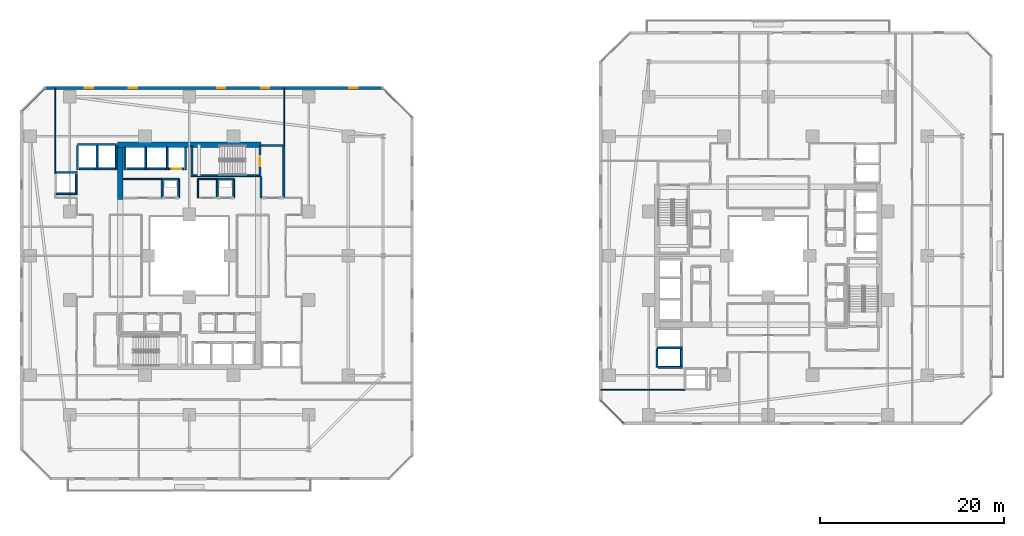
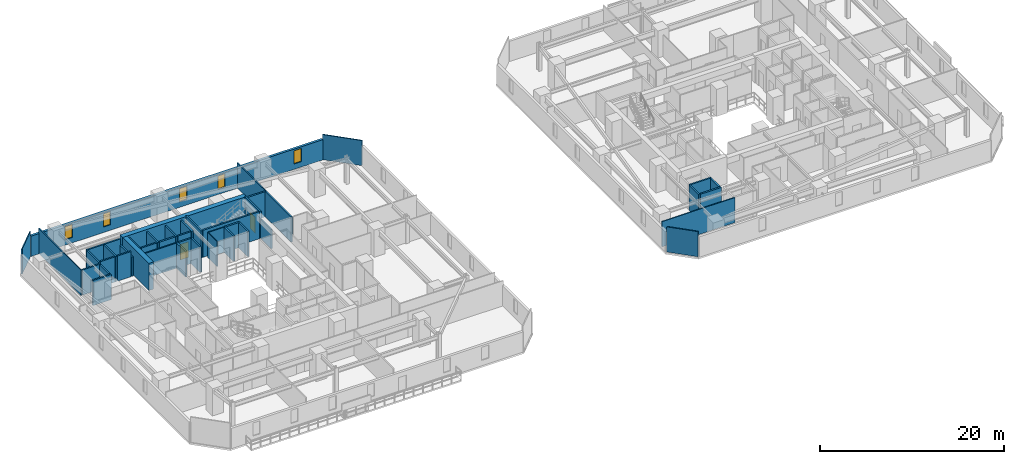
# One storey, part 23 of 34: 44 walls, 5 windows, 2 doors, 7 openings.
"""IFC4 building model written with IfcOpenShell, lengths in metres."""

from ifc_helpers import new_model, si_unit, direction, frame, frame_2d, origin, place, context, subcontext, project, spatial, rectangle, extrude, material, layer, layer_set, type_object, element, fill, save


model = new_model("IFC4")

# Units and contexts
model_context = context("Model", 3, precision=1e-05, world=origin(), true_north=direction((0.0, 1.0)))
body_context = subcontext(model_context, "Body", "Model", "MODEL_VIEW")
ifc_project = project(units=[si_unit("LENGTHUNIT", "METRE"), si_unit("AREAUNIT", "SQUARE_METRE"), si_unit("VOLUMEUNIT", "CUBIC_METRE"), si_unit("PLANEANGLEUNIT", "RADIAN"), si_unit("MASSUNIT", "GRAM", prefix="KILO")], contexts=[model_context])

# Site, building, storey
site_placement = place(None, origin())
site = spatial("IfcSite", under=ifc_project, at=site_placement, CompositionType="ELEMENT")
building_placement = place(site_placement, origin())
building = spatial("IfcBuilding", under=site, at=building_placement, Name="Thornwick Lancets Civic Towers", CompositionType="ELEMENT")
storey_placement = place(building_placement, frame((0.0, 0.0, 60.89990234375)))
storey = spatial("IfcBuildingStorey", under=building, at=storey_placement, Name="L15", CompositionType="ELEMENT", Elevation=60.89990234375)

# Wall, opening, door
ifc_material_1 = material(Name="Concrete blockwork C40/50", Category="masonry")
ifc_layer_1 = layer(ifc_material_1, 0.199951171875, Name="Concrete blockwork C40/50")
ifc_layer_set_1 = layer_set([ifc_layer_1], Name="Concrete blockwork C40/50")
wall_type_1 = type_object("IfcWallType", Name="WALL_COMP_200", PredefinedType="STANDARD", material=ifc_layer_set_1)
wall_1_placement = place(storey_placement, frame((24.919921875, 36.449951171875, 0.0), z_axis=(0.0, 0.0, 1.0), x_axis=(-1.0, 0.0, 0.0)))
wall_1 = element("IfcWall", 1, at=wall_1_placement, inside=storey, type_object=wall_type_1, Name="L15 Hoistway Front Wall FL-A2", PredefinedType="STANDARD", context=body_context, shape_type="SweptSolid", body=[
    extrude(rectangle(XDim=1.639892578125, YDim=0.199951171875, at=frame_2d((0.81982421875, 0.0))), origin(), (0.0, 0.0, 1.0), 3.340087890625),
])
opening_1_placement = place(wall_1_placement, frame((0.31005859375, 0.0, 0.0)))
opening_1 = element("IfcOpeningElement", 2, at=opening_1_placement, cuts=wall_1, Name="Opening LD-FL-A2", PredefinedType="OPENING", context=body_context, shape_type="SweptSolid", body=[
    extrude(rectangle(XDim=1.02001953125, YDim=2.06005859375, at=frame_2d((0.510009765625, 1.030029296875))), frame((0.0, 0.10986328125, 0.0), z_axis=(0.0, -1.0, 0.0), x_axis=(1.0, 0.0, 0.0)), (0.0, 0.0, 1.0), 0.219970703125),
])
ifc_material_2 = material(Name="Brushed bronze stainless steel", Category="steel")
door_type_1 = type_object("IfcDoorType", Name="DOOR_LIFT_SLIDE", OperationType="SLIDING_TO_LEFT", PredefinedType="DOOR", material=ifc_material_2)
door_1_placement = place(opening_1_placement, origin())
door_1 = element("IfcDoor", 3, at=door_1_placement, inside=storey, type_object=door_type_1, Name="L15 Sliding Lift Landing Door LD-FL-A2", OperationType="SLIDING_TO_LEFT", OverallHeight=2.06005859375, OverallWidth=1.02001953125, PredefinedType="DOOR", context=body_context, shape_type="SweptSolid", body=[
    extrude(rectangle(XDim=1.02001953125, YDim=2.06005859375, at=frame_2d((0.510009765625, 1.030029296875))), frame((0.0, 0.02490234375, 0.0), z_axis=(0.0, -1.0, 0.0), x_axis=(1.0, 0.0, 0.0)), (0.0, 0.0, 1.0), 0.050048828125),
])
fill(opening_1, door_1)

# Walls
wall_2_placement = place(storey_placement, frame((22.919921875, 36.449951171875, 0.0), z_axis=(0.0, 0.0, 1.0), x_axis=(-1.0, 0.0, 0.0)))
element("IfcWall", 4, at=wall_2_placement, inside=storey, type_object=wall_type_1, Name="L15 Hoistway Front Wall PL-AH2", PredefinedType="STANDARD", context=body_context, shape_type="SweptSolid", body=[
    extrude(rectangle(XDim=1.989990234375, YDim=0.199951171875, at=frame_2d((0.9951171875, 0.0))), origin(), (0.0, 0.0, 1.0), 3.340087890625),
])
wall_3_placement = place(storey_placement, frame((20.6201171875, 36.449951171875, 0.0), z_axis=(0.0, 0.0, 1.0), x_axis=(-1.0, 0.0, 0.0)))
element("IfcWall", 5, at=wall_3_placement, inside=storey, type_object=wall_type_1, Name="L15 Hoistway Front Wall PL-AH3", PredefinedType="STANDARD", context=body_context, shape_type="SweptSolid", body=[
    extrude(rectangle(XDim=1.940185546875, YDim=0.199951171875, at=frame_2d((0.97021484375, 0.0))), origin(), (0.0, 0.0, 1.0), 3.340087890625),
])
wall_4_placement = place(storey_placement, frame((17.3701171875, 36.449951171875, 0.0), z_axis=(0.0, 0.0, 1.0), x_axis=(-1.0, 0.0, 0.0)))
element("IfcWall", 6, at=wall_4_placement, inside=storey, type_object=wall_type_1, Name="L15 Hoistway Front Wall PL-AM1", PredefinedType="STANDARD", context=body_context, shape_type="SweptSolid", body=[
    extrude(rectangle(XDim=1.740234375, YDim=0.199951171875, at=frame_2d((0.8701171875, 0.0))), origin(), (0.0, 0.0, 1.0), 3.340087890625),
])
for number, where, z_axis, x_axis, name in (
    (7, (15.320068359375, 36.449951171875, 0.0), (0.0, 0.0, 1.0), (-1.0, 0.0, 0.0), "L15 Hoistway Front Wall PL-AM2"),
    (8, (79.050048828125, 15.030029296875, 0.0), (0.0, 0.0, 1.0), (0.0, 1.0, 0.0), "L15 Hoistway Front Wall PL-BM2"),
):
    element("IfcWall", number, at=place(storey_placement, frame(where, z_axis=z_axis, x_axis=x_axis)), inside=storey, type_object=wall_type_1, Name=name, PredefinedType="STANDARD", context=body_context, shape_type="SweptSolid", body=[
        extrude(rectangle(XDim=1.7900390625, YDim=0.199951171875, at=frame_2d((0.89501953125, 0.0))), origin(), (0.0, 0.0, 1.0), 3.340087890625),
    ])
wall_5_placement = place(storey_placement, frame((13.199951171875, 33.929931640625, 0.0), z_axis=(0.0, 0.0, 1.0), x_axis=(0.0, 1.0, 0.0)))
element("IfcWall", 9, at=wall_5_placement, inside=storey, type_object=wall_type_1, Name="L15 Hoistway Front Wall PL-AM3", PredefinedType="STANDARD", context=body_context, shape_type="SweptSolid", body=[
    extrude(rectangle(XDim=1.940185546875, YDim=0.199951171875, at=frame_2d((0.97021484375, 0.0))), origin(), (0.0, 0.0, 1.0), 3.340087890625),
])
for number, where, z_axis, x_axis, name in (
    (10, (25.10009765625, 36.35205078125, 0.0), (0.0, 0.0, 1.0), (0.0, 1.0, 0.0), "L15 Hoistway Shaft Wall FL-A2 E"),
    (11, (23.10009765625, 36.35205078125, 0.0), (0.0, 0.0, 1.0), (0.0, 1.0, 0.0), "L15 Hoistway Shaft Wall FL-A2 W"),
    (12, (20.77490234375, 36.35205078125, 0.0), (0.0, 0.0, 1.0), (0.0, 1.0, 0.0), "L15 Hoistway Shaft Wall PL-AH2 W"),
    (13, (18.5, 36.35205078125, 0.0), (0.0, 0.0, 1.0), (0.0, 1.0, 0.0), "L15 Hoistway Shaft Wall PL-AH3 W"),
):
    element("IfcWall", number, at=place(storey_placement, frame(where, z_axis=z_axis, x_axis=x_axis)), inside=storey, type_object=wall_type_1, Name=name, PredefinedType="STANDARD", context=body_context, shape_type="SweptSolid", body=[
        extrude(rectangle(XDim=2.43603515625, YDim=0.199951171875, at=frame_2d((1.218017578125, 0.0))), origin(), (0.0, 0.0, 1.0), 3.340087890625),
    ])
wall_6_placement = place(storey_placement, frame((13.35205078125, 39.10009765625, 0.0), z_axis=(0.0, 0.0, 1.0), x_axis=(1.0, 0.0, 0.0)))
element("IfcWall", 14, at=wall_6_placement, inside=storey, type_object=wall_type_1, Name="L15 Hoistway Shaft Wall PL-AM1 N", PredefinedType="STANDARD", context=body_context, shape_type="SweptSolid", body=[
    extrude(rectangle(XDim=4.196044921875, YDim=0.199951171875, at=frame_2d((2.09814453125, 0.0))), origin(), (0.0, 0.0, 1.0), 3.340087890625),
])
wall_7_placement = place(storey_placement, frame((17.550048828125, 36.35205078125, 0.0), z_axis=(0.0, 0.0, 1.0), x_axis=(0.0, 1.0, 0.0)))
element("IfcWall", 15, at=wall_7_placement, inside=storey, type_object=wall_type_1, Name="L15 Hoistway Shaft Wall PL-AM1 E", PredefinedType="STANDARD", context=body_context, shape_type="SweptSolid", body=[
    extrude(rectangle(XDim=2.635986328125, YDim=0.199951171875, at=frame_2d((1.31787109375, 0.0))), origin(), (0.0, 0.0, 1.0), 2.545166015625),
])
wall_8_placement = place(storey_placement, frame((15.47509765625, 36.35205078125, 0.0), z_axis=(0.0, 0.0, 1.0), x_axis=(0.0, 1.0, 0.0)))
element("IfcWall", 16, at=wall_8_placement, inside=storey, type_object=wall_type_1, Name="L15 Hoistway Shaft Wall PL-AM1 W", PredefinedType="STANDARD", context=body_context, shape_type="SweptSolid", body=[
    extrude(rectangle(XDim=2.635986328125, YDim=0.199951171875, at=frame_2d((1.31787109375, 0.0))), origin(), (0.0, 0.0, 1.0), 3.340087890625),
])
wall_9_placement = place(storey_placement, frame((76.402099609375, 16.97509765625, 0.0), z_axis=(0.0, 0.0, 1.0), x_axis=(1.0, 0.0, 0.0)))
element("IfcWall", 17, at=wall_9_placement, inside=storey, type_object=wall_type_1, Name="L15 Hoistway Shaft Wall PL-BM1 S", PredefinedType="STANDARD", context=body_context, shape_type="SweptSolid", body=[
    extrude(rectangle(XDim=2.745849609375, YDim=0.199951171875, at=frame_2d((1.373046875, 0.0))), origin(), (0.0, 0.0, 1.0), 3.340087890625),
])
wall_10_placement = place(storey_placement, frame((76.39990234375, 14.85205078125, 0.0), z_axis=(0.0, 0.0, 1.0), x_axis=(0.0, 1.0, 0.0)))
element("IfcWall", 18, at=wall_10_placement, inside=storey, type_object=wall_type_1, Name="L15 Hoistway Shaft Wall PL-BM1 W", PredefinedType="STANDARD", context=body_context, shape_type="SweptSolid", body=[
    extrude(rectangle(XDim=2.015869140625, YDim=0.199951171875, at=frame_2d((1.0078125, 0.0))), origin(), (0.0, 0.0, 1.0), 3.340087890625),
])
for number, where, z_axis, x_axis, name in (
    (19, (13.35009765625, 36.35205078125, 0.0), (0.0, 0.0, 1.0), (0.0, 1.0, 0.0), "L15 Hoistway Shaft Wall PL-AM2 W"),
    (20, (76.511962890625, 14.85009765625, 0.0), (0.0, 0.0, 1.0), (1.0, 0.0, 0.0), "L15 Hoistway Shaft Wall PL-BM2 S"),
):
    element("IfcWall", number, at=place(storey_placement, frame(where, z_axis=z_axis, x_axis=x_axis)), inside=storey, type_object=wall_type_1, Name=name, PredefinedType="STANDARD", context=body_context, shape_type="SweptSolid", body=[
        extrude(rectangle(XDim=2.635986328125, YDim=0.199951171875, at=frame_2d((1.31787109375, 0.0))), origin(), (0.0, 0.0, 1.0), 3.340087890625),
    ])
for number, where, z_axis, x_axis, name in (
    (21, (11.001953125, 36.050048828125, 0.0), (0.0, 0.0, 1.0), (1.0, 0.0, 0.0), "L15 Hoistway Shaft Wall PL-AM3 N"),
    (22, (11.001953125, 33.75, 0.0), (0.0, 0.0, 1.0), (1.0, 0.0, 0.0), "L15 Hoistway Shaft Wall PL-AM3 S"),
):
    element("IfcWall", number, at=place(storey_placement, frame(where, z_axis=z_axis, x_axis=x_axis)), inside=storey, type_object=wall_type_1, Name=name, PredefinedType="STANDARD", context=body_context, shape_type="SweptSolid", body=[
        extrude(rectangle(XDim=2.296142578125, YDim=0.199951171875, at=frame_2d((1.14794921875, 0.0))), origin(), (0.0, 0.0, 1.0), 3.340087890625),
    ])
wall_11_placement = place(storey_placement, frame((35.800048828125, 33.300048828125, 0.0), z_axis=(0.0, 0.0, 1.0), x_axis=(0.0, 1.0, 0.0)))
element("IfcWall", 23, at=wall_11_placement, inside=storey, type_object=wall_type_1, Name="L15 Partition L15-A-FFLOB2 E2", PredefinedType="STANDARD", context=body_context, shape_type="SweptSolid", body=[
    extrude(rectangle(XDim=5.699951171875, YDim=0.199951171875, at=frame_2d((2.85009765625, 0.0))), origin(), (0.0, 0.0, 1.0), 3.340087890625),
])
wall_12_placement = place(storey_placement, frame((35.800048828125, 39.0, 0.0), z_axis=(0.0, 0.0, 1.0), x_axis=(-1.0, 0.0, 0.0)))
element("IfcWall", 24, at=wall_12_placement, inside=storey, type_object=wall_type_1, Name="L15 Partition L15-A-FFLOB2 E3", PredefinedType="STANDARD", context=body_context, shape_type="SweptSolid", body=[
    extrude(rectangle(XDim=2.5, YDim=0.199951171875, at=frame_2d((1.25, 0.0))), origin(), (0.0, 0.0, 1.0), 3.340087890625),
])
wall_13_placement = place(storey_placement, frame((33.300048828125, 35.60009765625, 0.0), z_axis=(0.0, 0.0, 1.0), x_axis=(0.0, -1.0, 0.0)))
element("IfcWall", 25, at=wall_13_placement, inside=storey, type_object=wall_type_1, Name="L15 Partition L15-A-FFLOB2 E4", PredefinedType="STANDARD", context=body_context, shape_type="SweptSolid", body=[
    extrude(rectangle(XDim=2.300048828125, YDim=0.199951171875, at=frame_2d((1.14990234375, 0.0))), origin(), (0.0, 0.0, 1.0), 2.545166015625),
])
wall_14_placement = place(storey_placement, frame((24.35009765625, 33.300048828125, 0.0), z_axis=(0.0, 0.0, 1.0), x_axis=(0.0, 1.0, 0.0)))
element("IfcWall", 26, at=wall_14_placement, inside=storey, type_object=wall_type_1, Name="L15 Partition L15-A-DUCT2 E2", PredefinedType="STANDARD", context=body_context, shape_type="SweptSolid", body=[
    extrude(rectangle(XDim=2.050048828125, YDim=0.199951171875, at=frame_2d((1.02490234375, 0.0))), origin(), (0.0, 0.0, 1.0), 3.340087890625),
])
wall_15_placement = place(storey_placement, frame((24.35009765625, 35.35009765625, 0.0), z_axis=(0.0, 0.0, 1.0), x_axis=(-1.0, 0.0, 0.0)))
element("IfcWall", 27, at=wall_15_placement, inside=storey, type_object=wall_type_1, Name="L15 Partition L15-A-DUCT2 E3", PredefinedType="STANDARD", context=body_context, shape_type="SweptSolid", body=[
    extrude(rectangle(XDim=1.800048828125, YDim=0.199951171875, at=frame_2d((0.89990234375, 0.0))), origin(), (0.0, 0.0, 1.0), 3.340087890625),
])
for number, where, z_axis, x_axis, name in (
    (28, (22.550048828125, 35.35009765625, 0.0), (0.0, 0.0, 1.0), (0.0, -1.0, 0.0), "L15 Partition L15-A-DUCT2 E4"),
    (29, (30.35009765625, 33.300048828125, 0.0), (0.0, 0.0, 1.0), (0.0, 1.0, 0.0), "L15 Partition L15-A-RISER2 E2"),
):
    element("IfcWall", number, at=place(storey_placement, frame(where, z_axis=z_axis, x_axis=x_axis)), inside=storey, type_object=wall_type_1, Name=name, PredefinedType="STANDARD", context=body_context, shape_type="SweptSolid", body=[
        extrude(rectangle(XDim=2.050048828125, YDim=0.199951171875, at=frame_2d((1.02490234375, 0.0))), origin(), (0.0, 0.0, 1.0), 3.340087890625),
    ])
wall_16_placement = place(storey_placement, frame((30.35009765625, 35.35009765625, 0.0), z_axis=(0.0, 0.0, 1.0), x_axis=(-1.0, 0.0, 0.0)))
element("IfcWall", 30, at=wall_16_placement, inside=storey, type_object=wall_type_1, Name="L15 Partition L15-A-RISER2 E3", PredefinedType="STANDARD", context=body_context, shape_type="SweptSolid", body=[
    extrude(rectangle(XDim=1.800048828125, YDim=0.199951171875, at=frame_2d((0.89990234375, 0.0))), origin(), (0.0, 0.0, 1.0), 3.340087890625),
])
wall_17_placement = place(storey_placement, frame((28.550048828125, 35.35009765625, 0.0), z_axis=(0.0, 0.0, 1.0), x_axis=(0.0, -1.0, 0.0)))
element("IfcWall", 31, at=wall_17_placement, inside=storey, type_object=wall_type_1, Name="L15 Partition L15-A-RISER2 E4", PredefinedType="STANDARD", context=body_context, shape_type="SweptSolid", body=[
    extrude(rectangle(XDim=2.050048828125, YDim=0.199951171875, at=frame_2d((1.02490234375, 0.0))), origin(), (0.0, 0.0, 1.0), 3.340087890625),
])
ifc_material_3 = material(Name="Concrete C60/75", Category="concrete")
ifc_layer_2 = layer(ifc_material_3, 0.60009765625, Name="Concrete C60/75")
ifc_layer_set_2 = layer_set([ifc_layer_2], Name="Concrete C60/75")
wall_type_2 = type_object("IfcWallType", Name="WALL_CORE_600", PredefinedType="SHEAR", material=ifc_layer_set_2)
wall_18_placement = place(storey_placement, frame((17.699951171875, 39.10009765625, 0.0), z_axis=(0.0, 0.0, 1.0), x_axis=(1.0, 0.0, 0.0)))
element("IfcWall", 32, at=wall_18_placement, inside=storey, type_object=wall_type_2, Name="L15 Split Core A2 Shear Wall N", PredefinedType="SHEAR", context=body_context, shape_type="SweptSolid", body=[
    extrude(rectangle(XDim=15.60009765625, YDim=0.60009765625, at=frame_2d((7.800048828125, 0.0))), origin(), (0.0, 0.0, 1.0), 3.60009765625),
])
wall_19_placement = place(storey_placement, frame((18.0, 33.10009765625, 0.0), z_axis=(0.0, 0.0, 1.0), x_axis=(0.0, 1.0, 0.0)))
element("IfcWall", 33, at=wall_19_placement, inside=storey, type_object=wall_type_2, Name="L15 Split Core A2 Shear Wall W", PredefinedType="SHEAR", context=body_context, shape_type="SweptSolid", body=[
    extrude(rectangle(XDim=5.699951171875, YDim=0.60009765625, at=frame_2d((2.85009765625, 0.0))), origin(), (0.0, 0.0, 1.0), 3.60009765625),
])

# Wall, openings, windows
ifc_material_4 = material(Name="Insulated russet terracotta rainscreen on concrete C40/50", Category="masonry")
ifc_layer_3 = layer(ifc_material_4, 0.300048828125, Name="Insulated russet terracotta rainscreen on concrete C40/50")
ifc_layer_set_3 = layer_set([ifc_layer_3], Name="Insulated russet terracotta rainscreen on concrete C40/50")
wall_type_3 = type_object("IfcWallType", Name="WALL_EXT_RUSSET_300", PredefinedType="STANDARD", material=ifc_layer_set_3)
wall_20_placement = place(storey_placement, frame((46.528564453125, 45.2626953125, 0.0), z_axis=(0.0, 0.0, 1.0), x_axis=(-0.999999998209, 5.985515e-05, 0.0)))
wall_20 = element("IfcWall", 34, at=wall_20_placement, inside=storey, type_object=wall_type_3, Name="L15 Tower A Terracotta Facade Wall E4", PredefinedType="STANDARD", context=body_context, shape_type="SweptSolid", body=[
    extrude(rectangle(XDim=36.709716796875, YDim=0.300048828125, at=frame_2d((18.35498046875, 0.0))), origin(), (0.0, 0.0, 1.0), 2.7001953125),
])
opening_2_placement = place(wall_20_placement, frame((2.699951171875, 0.0, 0.719970703125)))
opening_2 = element("IfcOpeningElement", 35, at=opening_2_placement, cuts=wall_20, Name="Opening WL-01", PredefinedType="OPENING", context=body_context, shape_type="SweptSolid", body=[
    extrude(rectangle(XDim=0.89990234375, YDim=1.75, at=frame_2d((0.449951171875, 0.875))), frame((0.0, 0.16015625, 0.0), z_axis=(0.0, -1.0, 0.0), x_axis=(1.0, 0.0, 0.0)), (0.0, 0.0, 1.0), 0.320068359375),
])
opening_3_placement = place(wall_20_placement, frame((12.300048828125, 0.0, 0.719970703125)))
opening_3 = element("IfcOpeningElement", 36, at=opening_3_placement, cuts=wall_20, Name="Opening WL-01", PredefinedType="OPENING", context=body_context, shape_type="SweptSolid", body=[
    extrude(rectangle(XDim=0.89990234375, YDim=1.75, at=frame_2d((0.449951171875, 0.875))), frame((0.0, 0.16015625, 0.0), z_axis=(0.0, -1.0, 0.0), x_axis=(1.0, 0.0, 0.0)), (0.0, 0.0, 1.0), 0.320068359375),
])
opening_4_placement = place(wall_20_placement, frame((17.10009765625, 0.0, 0.719970703125)))
opening_4 = element("IfcOpeningElement", 37, at=opening_4_placement, cuts=wall_20, Name="Opening WL-01", PredefinedType="OPENING", context=body_context, shape_type="SweptSolid", body=[
    extrude(rectangle(XDim=0.89990234375, YDim=1.75, at=frame_2d((0.449951171875, 0.875))), frame((0.0, 0.16015625, 0.0), z_axis=(0.0, -1.0, 0.0), x_axis=(1.0, 0.0, 0.0)), (0.0, 0.0, 1.0), 0.320068359375),
])
opening_5_placement = place(wall_20_placement, frame((26.699951171875, 0.0, 0.719970703125)))
opening_5 = element("IfcOpeningElement", 38, at=opening_5_placement, cuts=wall_20, Name="Opening WL-01", PredefinedType="OPENING", context=body_context, shape_type="SweptSolid", body=[
    extrude(rectangle(XDim=0.89990234375, YDim=1.75, at=frame_2d((0.449951171875, 0.875))), frame((0.0, 0.16015625, 0.0), z_axis=(0.0, -1.0, 0.0), x_axis=(1.0, 0.0, 0.0)), (0.0, 0.0, 1.0), 0.320068359375),
])
opening_6_placement = place(wall_20_placement, frame((31.5, 0.0, 0.719970703125)))
opening_6 = element("IfcOpeningElement", 39, at=opening_6_placement, cuts=wall_20, Name="Opening WL-01", PredefinedType="OPENING", context=body_context, shape_type="SweptSolid", body=[
    extrude(rectangle(XDim=0.89990234375, YDim=1.75, at=frame_2d((0.449951171875, 0.875))), frame((0.0, 0.16015625, 0.0), z_axis=(0.0, -1.0, 0.0), x_axis=(1.0, 0.0, 0.0)), (0.0, 0.0, 1.0), 0.320068359375),
])
ifc_material_5 = material(Name="Clear low-e double glazing in bronze frame", Category="glass")
window_type = type_object("IfcWindowType", Name="WIN_LANCET_900", PartitioningType="SINGLE_PANEL", PredefinedType="WINDOW", material=ifc_material_5)
window_1_placement = place(opening_2_placement, origin())
window_1 = element("IfcWindow", 40, at=window_1_placement, inside=storey, type_object=window_type, Name="L15 Tower A Staggered Lancet Window E4-1", OverallHeight=1.75, OverallWidth=0.89990234375, PartitioningType="SINGLE_PANEL", PredefinedType="WINDOW", context=body_context, shape_type="SweptSolid", body=[
    extrude(rectangle(XDim=0.89990234375, YDim=1.75, at=frame_2d((0.449951171875, 0.875))), frame((0.0, 0.030029296875, 0.0), z_axis=(0.0, -1.0, 0.0), x_axis=(1.0, 0.0, 0.0)), (0.0, 0.0, 1.0), 0.06005859375),
])
fill(opening_2, window_1)
window_2_placement = place(opening_3_placement, origin())
window_2 = element("IfcWindow", 41, at=window_2_placement, inside=storey, type_object=window_type, Name="L15 Tower A Staggered Lancet Window E4-2", OverallHeight=1.75, OverallWidth=0.89990234375, PartitioningType="SINGLE_PANEL", PredefinedType="WINDOW", context=body_context, shape_type="SweptSolid", body=[
    extrude(rectangle(XDim=0.89990234375, YDim=1.75, at=frame_2d((0.449951171875, 0.875))), frame((0.0, 0.030029296875, 0.0), z_axis=(0.0, -1.0, 0.0), x_axis=(1.0, 0.0, 0.0)), (0.0, 0.0, 1.0), 0.06005859375),
])
fill(opening_3, window_2)
window_3_placement = place(opening_4_placement, origin())
window_3 = element("IfcWindow", 42, at=window_3_placement, inside=storey, type_object=window_type, Name="L15 Tower A Staggered Lancet Window E4-3", OverallHeight=1.75, OverallWidth=0.89990234375, PartitioningType="SINGLE_PANEL", PredefinedType="WINDOW", context=body_context, shape_type="SweptSolid", body=[
    extrude(rectangle(XDim=0.89990234375, YDim=1.75, at=frame_2d((0.449951171875, 0.875))), frame((0.0, 0.030029296875, 0.0), z_axis=(0.0, -1.0, 0.0), x_axis=(1.0, 0.0, 0.0)), (0.0, 0.0, 1.0), 0.06005859375),
])
fill(opening_4, window_3)
window_4_placement = place(opening_5_placement, origin())
window_4 = element("IfcWindow", 43, at=window_4_placement, inside=storey, type_object=window_type, Name="L15 Tower A Staggered Lancet Window E4-4", OverallHeight=1.75, OverallWidth=0.89990234375, PartitioningType="SINGLE_PANEL", PredefinedType="WINDOW", context=body_context, shape_type="SweptSolid", body=[
    extrude(rectangle(XDim=0.89990234375, YDim=1.75, at=frame_2d((0.449951171875, 0.875))), frame((0.0, 0.030029296875, 0.0), z_axis=(0.0, -1.0, 0.0), x_axis=(1.0, 0.0, 0.0)), (0.0, 0.0, 1.0), 0.06005859375),
])
fill(opening_5, window_4)
window_5_placement = place(opening_6_placement, origin())
window_5 = element("IfcWindow", 44, at=window_5_placement, inside=storey, type_object=window_type, Name="L15 Tower A Staggered Lancet Window E4-5", OverallHeight=1.75, OverallWidth=0.89990234375, PartitioningType="SINGLE_PANEL", PredefinedType="WINDOW", context=body_context, shape_type="SweptSolid", body=[
    extrude(rectangle(XDim=0.89990234375, YDim=1.75, at=frame_2d((0.449951171875, 0.875))), frame((0.0, 0.030029296875, 0.0), z_axis=(0.0, -1.0, 0.0), x_axis=(1.0, 0.0, 0.0)), (0.0, 0.0, 1.0), 0.06005859375),
])
fill(opening_6, window_5)

# Walls
ifc_material_6 = material(Name="Acoustic gypsum board partition")
ifc_layer_4 = layer(ifc_material_6, 0.1201171875, Name="Acoustic gypsum board partition")
ifc_layer_set_4 = layer_set([ifc_layer_4], Name="Acoustic gypsum board partition")
wall_type_4 = type_object("IfcWallType", Name="WALL_PART_120", PredefinedType="PARTITIONING", material=ifc_layer_set_4)
wall_21_placement = place(storey_placement, frame((26.449951171875, 33.300048828125, 0.0), z_axis=(0.0, 0.0, 1.0), x_axis=(0.0, 1.0, 0.0)))
element("IfcWall", 45, at=wall_21_placement, inside=storey, type_object=wall_type_4, Name="L15 Partition L15-A-ITR E1", PredefinedType="PARTITIONING", context=body_context, shape_type="SweptSolid", body=[
    extrude(rectangle(XDim=2.050048828125, YDim=0.1201171875, at=frame_2d((1.02490234375, 0.0))), origin(), (0.0, 0.0, 1.0), 3.340087890625),
])
wall_22_placement = place(storey_placement, frame((26.449951171875, 35.35009765625, 0.0), z_axis=(0.0, 0.0, 1.0), x_axis=(1.0, 0.0, 0.0)))
element("IfcWall", 46, at=wall_22_placement, inside=storey, type_object=wall_type_4, Name="L15 Partition L15-A-ITR E2", PredefinedType="PARTITIONING", context=body_context, shape_type="SweptSolid", body=[
    extrude(rectangle(XDim=2.10009765625, YDim=0.1201171875, at=frame_2d((1.050048828125, 0.0))), origin(), (0.0, 0.0, 1.0), 3.340087890625),
])
wall_23_placement = place(storey_placement, frame((7.280029296875, 42.725341796875, 0.0), z_axis=(0.0, 0.0, 1.0), x_axis=(0.707106781187, 0.707106781187, 0.0)))
element("IfcWall", 47, at=wall_23_placement, inside=storey, type_object=wall_type_4, Name="L15 Partition L15-A-W3 E7", PredefinedType="PARTITIONING", context=body_context, shape_type="SweptSolid", body=[
    extrude(rectangle(XDim=3.52783203125, YDim=0.1201171875, at=frame_2d((1.763916015625, 0.0))), origin(), (0.0, 0.0, 1.0), 3.340087890625),
])
wall_24_placement = place(storey_placement, frame((10.89990234375, 45.219970703125, 0.0), z_axis=(0.0, 0.0, 1.0), x_axis=(0.0, -1.0, 0.0)))
element("IfcWall", 48, at=wall_24_placement, inside=storey, type_object=wall_type_4, Name="L15 Partition L15-A-W3 E9", PredefinedType="PARTITIONING", context=body_context, shape_type="SweptSolid", body=[
    extrude(rectangle(XDim=9.281982421875, YDim=0.1201171875, at=frame_2d((4.64111328125, 0.0))), origin(), (0.0, 0.0, 1.0), 3.340087890625),
])
wall_25_placement = place(storey_placement, frame((35.85009765625, 39.0, 0.0), z_axis=(0.0, 0.0, 1.0), x_axis=(0.0, 1.0, 0.0)))
element("IfcWall", 49, at=wall_25_placement, inside=storey, type_object=wall_type_4, Name="L15 Partition L15-A-E3 E5", PredefinedType="PARTITIONING", context=body_context, shape_type="SweptSolid", body=[
    extrude(rectangle(XDim=6.219970703125, YDim=0.1201171875, at=frame_2d((3.10986328125, 0.0))), origin(), (0.0, 0.0, 1.0), 3.340087890625),
])
wall_26_placement = place(storey_placement, frame((46.5703125, 45.219970703125, 0.0), z_axis=(0.0, 0.0, 1.0), x_axis=(0.707106781187, -0.707106781187, 0.0)))
element("IfcWall", 50, at=wall_26_placement, inside=storey, type_object=wall_type_4, Name="L15 Partition L15-A-E3 E7", PredefinedType="PARTITIONING", context=body_context, shape_type="SweptSolid", body=[
    extrude(rectangle(XDim=4.454345703125, YDim=0.1201171875, at=frame_2d((2.22705078125, 0.0))), origin(), (0.0, 0.0, 1.0), 3.340087890625),
])
wall_27_placement = place(storey_placement, frame((72.774658203125, 8.780029296875, 0.0), z_axis=(0.0, 0.0, 1.0), x_axis=(-0.707106781187, 0.707106781187, 0.0)))
element("IfcWall", 51, at=wall_27_placement, inside=storey, type_object=wall_type_4, Name="L15 Partition L15-B-W3 E7", PredefinedType="PARTITIONING", context=body_context, shape_type="SweptSolid", body=[
    extrude(rectangle(XDim=3.52783203125, YDim=0.1201171875, at=frame_2d((1.763916015625, 0.0))), origin(), (0.0, 0.0, 1.0), 3.340087890625),
])
wall_28_placement = place(storey_placement, frame((70.280029296875, 12.39990234375, 0.0), z_axis=(0.0, 0.0, 1.0), x_axis=(1.0, 0.0, 0.0)))
element("IfcWall", 52, at=wall_28_placement, inside=storey, type_object=wall_type_4, Name="L15 Partition L15-B-W3 E9", PredefinedType="PARTITIONING", context=body_context, shape_type="SweptSolid", body=[
    extrude(rectangle(XDim=9.171875, YDim=0.1201171875, at=frame_2d((4.5859375, 0.0))), origin(), (0.0, 0.0, 1.0), 3.340087890625),
])
ifc_material_7 = material(Name="Twin-stud acoustic gypsum board")
ifc_layer_5 = layer(ifc_material_7, 0.14990234375, Name="Twin-stud acoustic gypsum board")
ifc_layer_set_5 = layer_set([ifc_layer_5], Name="Twin-stud acoustic gypsum board")
wall_type_5 = type_object("IfcWallType", Name="WALL_PART_150", PredefinedType="PARTITIONING", material=ifc_layer_set_5)
wall_29_placement = place(storey_placement, frame((18.300048828125, 35.35009765625, 0.0), z_axis=(0.0, 0.0, 1.0), x_axis=(1.0, 0.0, 0.0)))
element("IfcWall", 53, at=wall_29_placement, inside=storey, type_object=wall_type_5, Name="L15 Partition L15-A-FWC E2", PredefinedType="PARTITIONING", context=body_context, shape_type="SweptSolid", body=[
    extrude(rectangle(XDim=4.25, YDim=0.14990234375, at=frame_2d((2.125, 0.0))), origin(), (0.0, 0.0, 1.0), 3.340087890625),
])

# Wall, opening, door
ifc_material_8 = material(Name="Concrete C40/50", Category="concrete")
ifc_layer_6 = layer(ifc_material_8, 0.199951171875, Name="Concrete C40/50")
ifc_layer_set_6 = layer_set([ifc_layer_6], Name="Concrete C40/50")
wall_type_6 = type_object("IfcWallType", Name="WALL_SHAFT_200", PredefinedType="SHEAR", material=ifc_layer_set_6)
wall_30_placement = place(storey_placement, frame((33.199951171875, 38.949951171875, 0.0), z_axis=(0.0, 0.0, 1.0), x_axis=(0.0, -1.0, 0.0)))
wall_30 = element("IfcWall", 54, at=wall_30_placement, inside=storey, type_object=wall_type_6, Name="L15 ST-A2 Fire Stair Core Wall NEAR", PredefinedType="SHEAR", context=body_context, shape_type="SweptSolid", body=[
    extrude(rectangle(XDim=3.349853515625, YDim=0.199951171875, at=frame_2d((1.6748046875, 0.0))), origin(), (0.0, 0.0, 1.0), 3.60009765625),
])
opening_7_placement = place(wall_30_placement, frame((1.125, 0.0, 0.0)))
opening_7 = element("IfcOpeningElement", 55, at=opening_7_placement, cuts=wall_30, Name="Opening D-ST-A2-L15", PredefinedType="OPENING", context=body_context, shape_type="SweptSolid", body=[
    extrude(rectangle(XDim=1.10009765625, YDim=2.10009765625, at=frame_2d((0.550048828125, 1.050048828125))), frame((0.0, 0.10986328125, 0.0), z_axis=(0.0, -1.0, 0.0), x_axis=(1.0, 0.0, 0.0)), (0.0, 0.0, 1.0), 0.219970703125),
])
ifc_material_9 = material(Name="Fire-resisting steel and hardwood", Category="steel")
door_type_2 = type_object("IfcDoorType", Name="DOOR_STAIR_FD60", OperationType="NOTDEFINED", PredefinedType="DOOR", material=ifc_material_9)
door_2_placement = place(opening_7_placement, origin())
door_2 = element("IfcDoor", 56, at=door_2_placement, inside=storey, type_object=door_type_2, Name="L15 ST-A2 Exit Stair Door", OperationType="SINGLE_SWING_LEFT", OverallHeight=2.10009765625, OverallWidth=1.10009765625, PredefinedType="DOOR", context=body_context, shape_type="SweptSolid", body=[
    extrude(rectangle(XDim=1.10009765625, YDim=2.10009765625, at=frame_2d((0.550048828125, 1.050048828125))), frame((0.0, 0.02490234375, 0.0), z_axis=(0.0, -1.0, 0.0), x_axis=(1.0, 0.0, 0.0)), (0.0, 0.0, 1.0), 0.050048828125),
])
fill(opening_7, door_2)

# Walls
wall_31_placement = place(storey_placement, frame((25.800048828125, 35.60009765625, 0.0), z_axis=(0.0, 0.0, 1.0), x_axis=(0.0, 1.0, 0.0)))
element("IfcWall", 57, at=wall_31_placement, inside=storey, type_object=wall_type_6, Name="L15 ST-A2 Fire Stair Core Wall FAR", PredefinedType="SHEAR", context=body_context, shape_type="SweptSolid", body=[
    extrude(rectangle(XDim=3.349853515625, YDim=0.199951171875, at=frame_2d((1.6748046875, 0.0))), origin(), (0.0, 0.0, 1.0), 3.60009765625),
])
wall_32_placement = place(storey_placement, frame((25.949951171875, 35.702880859375, 0.0), z_axis=(0.0, 0.0, 1.0), x_axis=(1.0, 0.0, 0.0)))
element("IfcWall", 58, at=wall_32_placement, inside=storey, type_object=wall_type_6, Name="L15 ST-A2 Fire Stair Core Wall RIGHT", PredefinedType="SHEAR", context=body_context, shape_type="SweptSolid", body=[
    extrude(rectangle(XDim=7.10009765625, YDim=0.199951171875, at=frame_2d((3.550048828125, 0.0))), origin(), (0.0, 0.0, 1.0), 3.60009765625),
])

save(model, "model.ifc")
